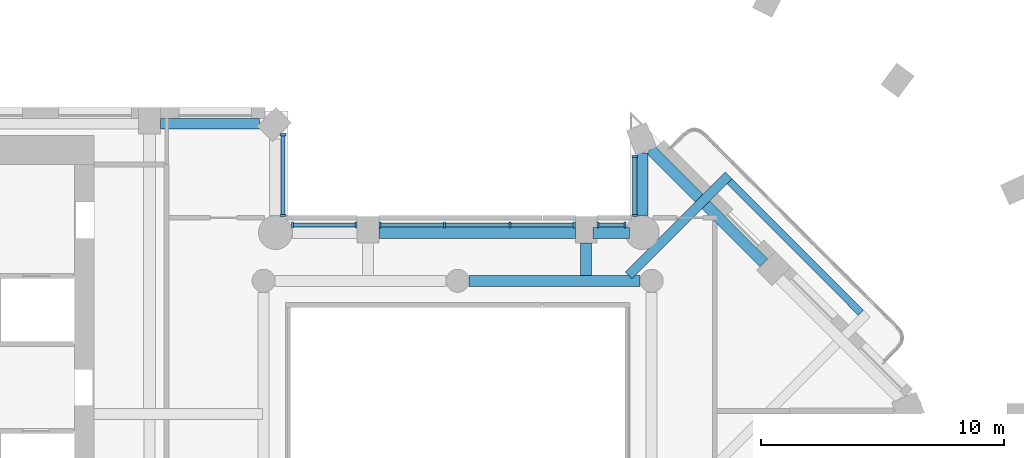
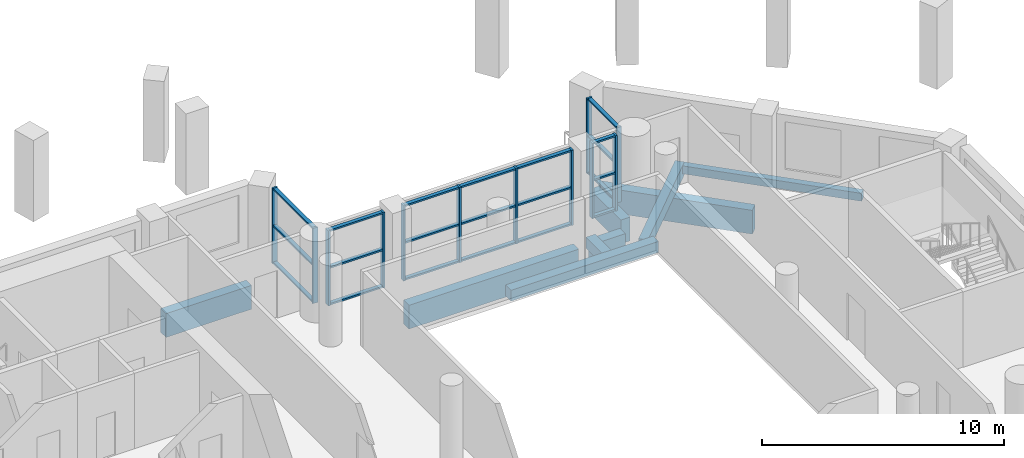
# One storey, part 2 of 14: 33 members, 9 beams, 5 elements without a shape of their own.
"""IFC4 building model written with IfcOpenShell, lengths in metres."""

import ifcopenshell
import ifcopenshell.guid

model = None  # the IFC model being written
_history = None  # IfcOwnerHistory: only IFC2X3 demands one
_inside = {}  # id of a spatial element -> (the spatial element, [elements in it])
_under = {}  # id of a project, library or spatial element -> (it, [spatial elements below it])
_declared = {}  # id of a project -> (the project, [libraries it declares])
_typed = {}  # id of a type object -> (the type object, [elements of that type])
_made_of = {}  # id of a material, layer set ... -> (it, [elements and type objects made of it])


def new_model(schema):
    """Start an empty IFC model of exactly this schema.

    Asked for "IFC4X3", IfcOpenShell would pick the latest addendum, in which some entities
    have other attributes; the version numbers below select the first issue.
    IFC2X3 requires an IfcOwnerHistory on every rooted entity: one is made here for all.
    """
    global model, _history
    if schema == "IFC4X3":
        model = ifcopenshell.file(schema_version=(4, 3, 0, 0))
    else:
        model = ifcopenshell.file(schema=schema)
    _inside.clear()
    _under.clear()
    _declared.clear()
    _typed.clear()
    _made_of.clear()
    _history = None
    if model.schema == "IFC2X3":
        org = make("IfcOrganization", Name="unknown")
        user = make(
            "IfcPersonAndOrganization",
            ThePerson=make("IfcPerson", FamilyName="unknown"),
            TheOrganization=org,
        )
        app = make(
            "IfcApplication",
            ApplicationDeveloper=org,
            Version="unknown",
            ApplicationFullName="unknown",
            ApplicationIdentifier="unknown",
        )
        _history = make(
            "IfcOwnerHistory",
            OwningUser=user,
            OwningApplication=app,
            ChangeAction="ADDED",
            CreationDate=0,
        )
    return model


def make(cls, **values):
    """One entity of the class cls with the attributes given. An attribute that is None is left unset."""
    return model.create_entity(
        cls, **{name: value for name, value in values.items() if value is not None}
    )


def rooted(cls, **values):
    """An entity with a GlobalId (a new one), such as an element, a storey or a relation."""
    return make(cls, GlobalId=ifcopenshell.guid.new(), OwnerHistory=_history, **values)


def si_unit(unit_type, name, prefix=None):
    """IfcSIUnit, for example si_unit("LENGTHUNIT", "METRE", prefix="MILLI")."""
    return make("IfcSIUnit", UnitType=unit_type, Prefix=prefix, Name=name)


def assignment(units):
    """IfcUnitAssignment: the units of a project."""
    return None if units is None else make("IfcUnitAssignment", Units=units)


def point(xyz):
    """IfcCartesianPoint."""
    return None if xyz is None else make("IfcCartesianPoint", Coordinates=xyz)


def direction(xyz):
    """IfcDirection."""
    return None if xyz is None else make("IfcDirection", DirectionRatios=xyz)


def frame(location, z_axis=None, x_axis=None):
    """IfcAxis2Placement3D, a coordinate frame: its origin and axes. An axis left out is left unset."""
    return make(
        "IfcAxis2Placement3D",
        Location=point(location),
        Axis=direction(z_axis),
        RefDirection=direction(x_axis),
    )


def frame_2d(location, x_axis=None):
    """IfcAxis2Placement2D, a coordinate frame in the plane: its origin and x axis."""
    return make(
        "IfcAxis2Placement2D", Location=point(location), RefDirection=direction(x_axis)
    )


def origin():
    """The frame at (0, 0, 0) with its axes left unset."""
    return frame((0.0, 0.0, 0.0))


def origin_2d():
    """The frame at (0, 0) in the plane with its x axis left unset."""
    return frame_2d((0.0, 0.0))


def place(relative_to, where):
    """IfcLocalPlacement: puts the frame where relative to a parent placement (None: the world)."""
    return make(
        "IfcLocalPlacement", PlacementRelTo=relative_to, RelativePlacement=where
    )


def context(
    kind, dimensions, precision=None, world=None, true_north=None, identifier=None
):
    """IfcGeometricRepresentationContext, for example the 3D "Model" context."""
    return make(
        "IfcGeometricRepresentationContext",
        ContextIdentifier=identifier,
        ContextType=kind,
        CoordinateSpaceDimension=dimensions,
        Precision=precision,
        WorldCoordinateSystem=world,
        TrueNorth=true_north,
    )


def subcontext(parent, identifier, kind, view, scale=None):
    """IfcGeometricRepresentationSubContext, for example "Body" below "Model"."""
    return make(
        "IfcGeometricRepresentationSubContext",
        ContextIdentifier=identifier,
        ContextType=kind,
        ParentContext=parent,
        TargetScale=scale,
        TargetView=view,
    )


def project(units=None, contexts=None):
    """IfcProject with its units and contexts."""
    return rooted(
        "IfcProject",
        Name="project",
        RepresentationContexts=contexts,
        UnitsInContext=assignment(units),
    )


def spatial(cls, under=None, at=None, **own):
    """A site, building, storey or space (cls), placed at a placement, below another one or the project."""
    s = rooted(cls, ObjectPlacement=at, **own)
    if under is not None:
        _under.setdefault(under.id(), (under, []))[1].append(s)
    return s


def profile(cls, at=None, kind="AREA", **sizes):
    """A parametric profile (cls). Its sizes go by their IFC names, for example OverallWidth=200.0."""
    return make(cls, ProfileType=kind, Position=at, **sizes)


def rectangle(**sizes):
    """IfcRectangleProfileDef."""
    return profile("IfcRectangleProfileDef", **sizes)


def extrude(swept, where, along, depth):
    """IfcExtrudedAreaSolid: the profile swept, set in the frame where, extruded along a direction by depth."""
    return make(
        "IfcExtrudedAreaSolid",
        SweptArea=swept,
        Position=where,
        ExtrudedDirection=direction(along),
        Depth=depth,
    )


def shape(context_of_items, identifier, shape_type, items):
    """IfcShapeRepresentation: the items that make up one representation, for example the "Body"."""
    return make(
        "IfcShapeRepresentation",
        ContextOfItems=context_of_items,
        RepresentationIdentifier=identifier,
        RepresentationType=shape_type,
        Items=items,
    )


def material(Name=None, Category=None):
    """IfcMaterial."""
    return make("IfcMaterial", Name=Name, Category=Category)


def material_profile(
    of_material, cross_section, Name=None, Category=None, Priority=None
):
    """IfcMaterialProfile: a cross section and its material."""
    return make(
        "IfcMaterialProfile",
        Name=Name,
        Material=of_material,
        Profile=cross_section,
        Priority=Priority,
        Category=Category,
    )


def profile_set(profiles, Name=None, composite=None):
    """IfcMaterialProfileSet."""
    return make(
        "IfcMaterialProfileSet",
        Name=Name,
        MaterialProfiles=profiles,
        CompositeProfile=composite,
    )


def made_of(thing, what):
    """Note that an element or type object is made of a material, layer set ...; save() writes the relation."""
    if what is not None:
        _made_of.setdefault(what.id(), (what, []))[1].append(thing)
    return thing


def type_object(cls, material=None, **own):
    """A type object (cls), such as IfcWallType, which elements share."""
    return made_of(rooted(cls, **own), material)


def element(
    cls,
    number,
    at=None,
    inside=None,
    cuts=None,
    type_object=None,
    material=None,
    context=None,
    identifier="Body",
    shape_type=None,
    held_by="IfcProductDefinitionShape",
    body=None,
    shapes=None,
    **own,
):
    """One element of the class cls, such as IfcWall. Its Tag is "e" and its number.

    at: its placement. inside: the storey or other place that contains it. cuts: it is an
    opening in that element (IfcRelVoidsElement). A single representation is given by context,
    identifier, shape_type and body (its items); several are given by shapes. held_by: the class
    of the entity that holds the representations. save() writes the other relations.
    """
    e = rooted(cls, Tag="e%d" % number, ObjectPlacement=at, **own)
    if body is not None:
        shapes = [shape(context, identifier, shape_type, body)]
    if shapes is not None:
        e.Representation = make(held_by, Representations=shapes)
    if inside is not None:
        _inside.setdefault(inside.id(), (inside, []))[1].append(e)
    if cuts is not None:
        rooted(
            "IfcRelVoidsElement", RelatingBuildingElement=cuts, RelatedOpeningElement=e
        )
    if type_object is not None:
        _typed.setdefault(type_object.id(), (type_object, []))[1].append(e)
    return made_of(e, material)


def aggregate(whole, parts):
    """IfcRelAggregates: a whole, such as a stair, and the parts it consists of."""
    return rooted("IfcRelAggregates", RelatingObject=whole, RelatedObjects=parts)


def save(model, path):
    """Write the relations noted so far, then the file.

    IfcRelAggregates (storeys below a building ...), IfcRelContainedInSpatialStructure (elements
    in a storey), IfcRelDefinesByType, IfcRelAssociatesMaterial and IfcRelDeclares: one each for
    every whole, place, type object, material and project.
    """
    for whole, parts in _under.values():
        aggregate(whole, parts)
    for where, things in _inside.values():
        rooted(
            "IfcRelContainedInSpatialStructure",
            RelatedElements=things,
            RelatingStructure=where,
        )
    for kind, things in _typed.values():
        rooted("IfcRelDefinesByType", RelatedObjects=things, RelatingType=kind)
    for what, things in _made_of.values():
        rooted("IfcRelAssociatesMaterial", RelatedObjects=things, RelatingMaterial=what)
    for by, libraries in _declared.values():
        rooted("IfcRelDeclares", RelatingContext=by, RelatedDefinitions=libraries)
    model.write(path)


model = new_model("IFC4")

# Units and contexts
model_context = context("Model", 3, precision=1e-05, world=origin(), true_north=direction((0.0, 1.0)))
body_context = subcontext(model_context, "Body", "Model", "MODEL_VIEW")
ifc_project = project(units=[si_unit("LENGTHUNIT", "METRE"), si_unit("AREAUNIT", "SQUARE_METRE"), si_unit("VOLUMEUNIT", "CUBIC_METRE"), si_unit("PLANEANGLEUNIT", "RADIAN"), si_unit("MASSUNIT", "GRAM", prefix="KILO")], contexts=[model_context])

# Site, building, storey
site_placement = place(None, origin())
site = spatial("IfcSite", under=ifc_project, at=site_placement, CompositionType="ELEMENT")
building_placement = place(site_placement, origin())
building = spatial("IfcBuilding", under=site, at=building_placement, Name="Cypress Arch Tower", CompositionType="ELEMENT")
storey_placement = place(building_placement, frame((0.0, 0.0, 201.5)))
storey = spatial("IfcBuildingStorey", under=building, at=storey_placement, Name="L44", CompositionType="ELEMENT", Elevation=201.5)

# Beams
ifc_material_1 = material(Name="Concrete C50/60", Category="concrete")
ifc_material_profile_1 = material_profile(ifc_material_1, rectangle(XDim=0.300048828125, YDim=0.39990234375, at=origin_2d()), Name="RC 300x400")
ifc_profile_set_1 = profile_set([ifc_material_profile_1], Name="Concrete C50/60")
beam_type_1 = type_object("IfcBeamType", Name="Balcony edge beam RC 300x400 Concrete C50/60", PredefinedType="BEAM", material=ifc_profile_set_1)
beam_1_placement = place(storey_placement, frame((17.625244140625, 8.683837890625, -0.5), z_axis=(-0.706756152424, 0.707457236171, 0.0), x_axis=(-0.707457236171, -0.706756152424, 0.0)))
element("IfcBeam", 1, at=beam_1_placement, inside=storey, type_object=beam_type_1, Name="Balcony edge beam L44 B05", PredefinedType="BEAM", context=body_context, shape_type="SweptSolid", body=[
    extrude(rectangle(XDim=0.300048828125, YDim=0.39990234375, at=origin_2d()), origin(), (0.0, 0.0, 1.0), 7.6611328125),
])
ifc_material_2 = material(Name="Concrete C50/60", Category="concrete")
ifc_material_profile_2 = material_profile(ifc_material_2, rectangle(XDim=0.39990234375, YDim=0.64990234375, at=origin_2d()), Name="RC 400x650")
ifc_profile_set_2 = profile_set([ifc_material_profile_2], Name="Concrete C50/60")
beam_type_2 = type_object("IfcBeamType", Name="Cantilever beam RC 400x650 Concrete C50/60", PredefinedType="BEAM", material=ifc_profile_set_2)
beam_2_placement = place(storey_placement, frame((8.04931640625, 10.22509765625, -0.625), z_axis=(0.707127700577, 0.707085861177, 0.0), x_axis=(-0.707085861177, 0.707127700577, 0.0)))
element("IfcBeam", 2, at=beam_2_placement, inside=storey, type_object=beam_type_2, Name="Cantilever beam L44 B05 2", PredefinedType="BEAM", context=body_context, shape_type="SweptSolid", body=[
    extrude(rectangle(XDim=0.39990234375, YDim=0.64990234375, at=origin_2d()), origin(), (0.0, 0.0, 1.0), 5.835205078125),
])
ifc_material_3 = material(Name="Concrete C50/60", Category="concrete")
ifc_material_profile_3 = material_profile(ifc_material_3, rectangle(XDim=0.449951171875, YDim=0.550048828125, at=origin_2d()), Name="RC 450x550")
ifc_profile_set_3 = profile_set([ifc_material_profile_3], Name="Concrete C50/60")
beam_type_3 = type_object("IfcBeamType", Name="Floor beam RC 450x550 Concrete C50/60", PredefinedType="BEAM", material=ifc_profile_set_3)
beam_3_placement = place(storey_placement, frame((1.47509765625, 10.0, -0.574951171875), z_axis=(1.0, 0.0, 0.0), x_axis=(0.0, 1.0, 0.0)))
element("IfcBeam", 3, at=beam_3_placement, inside=storey, type_object=beam_type_3, Name="Floor beam L44 RB008", PredefinedType="BEAM", context=body_context, shape_type="SweptSolid", body=[
    extrude(rectangle(XDim=0.449951171875, YDim=0.550048828125, at=origin_2d()), origin(), (0.0, 0.0, 1.0), 7.0498046875),
])
beam_4_placement = place(storey_placement, frame((6.300048828125, 10.22509765625, -0.574951171875), z_axis=(0.0, 1.0, 0.0), x_axis=(-1.0, 0.0, 0.0)))
element("IfcBeam", 4, at=beam_4_placement, inside=storey, type_object=beam_type_3, Name="Floor beam L44 FB017", PredefinedType="BEAM", context=body_context, shape_type="SweptSolid", body=[
    extrude(rectangle(XDim=0.449951171875, YDim=0.550048828125, at=origin_2d()), origin(), (0.0, 0.0, 1.0), 1.324951171875),
])

# Curtain wall, members
ifc_material_4 = material(Name="Anodised aluminium, bronze finish, clear laminated double glazing", Category="aluminium")
curtain_wall_type = type_object("IfcCurtainWallType", Name="Curtain wall CW7 slot glazing", PredefinedType="NOTDEFINED", material=ifc_material_4)
curtain_wall_1_placement = place(storey_placement, origin())
curtain_wall_1 = element("IfcCurtainWall", 5, at=curtain_wall_1_placement, inside=storey, type_object=curtain_wall_type, Name="Curtain wall L44 slot B06.0", PredefinedType="NOTDEFINED")
ifc_material_5 = material(Name="Anodised aluminium, bronze finish", Category="aluminium")
ifc_material_profile_4 = material_profile(ifc_material_5, rectangle(XDim=0.239990234375, YDim=0.0849609375, at=origin_2d()), Name="Mullion 85x240")
ifc_profile_set_4 = profile_set([ifc_material_profile_4], Name="Anodised aluminium, bronze finish")
member_type_1 = type_object("IfcMemberType", Name="Mullion CW7 85x240", PredefinedType="MULLION", material=ifc_profile_set_4)
member_1_placement = place(storey_placement, frame((8.300048828125, 15.12744140625, 0.0), z_axis=(0.0, 0.0, 1.0), x_axis=(1.0, 0.0, 0.0)))
member_1 = element("IfcMember", 6, at=member_1_placement, type_object=member_type_1, Name="CW7 mullion 1", PredefinedType="MULLION", context=body_context, shape_type="SweptSolid", body=[
    extrude(rectangle(XDim=0.239990234375, YDim=0.0849609375, at=origin_2d()), origin(), (0.0, 0.0, 1.0), 3.800048828125),
])
member_2_placement = place(storey_placement, frame((8.300048828125, 12.697021484375, 0.0), z_axis=(0.0, 0.0, 1.0), x_axis=(1.0, 0.0, 0.0)))
member_2 = element("IfcMember", 7, at=member_2_placement, type_object=member_type_1, Name="CW7 mullion 2", PredefinedType="MULLION", context=body_context, shape_type="SweptSolid", body=[
    extrude(rectangle(XDim=0.239990234375, YDim=0.0849609375, at=origin_2d()), origin(), (0.0, 0.0, 1.0), 3.800048828125),
])

curtain_wall_2_placement = place(storey_placement, origin())
curtain_wall_2 = element("IfcCurtainWall", 8, at=curtain_wall_2_placement, inside=storey, type_object=curtain_wall_type, Name="Curtain wall L44 slot B07.0", PredefinedType="NOTDEFINED")
member_3_placement = place(storey_placement, frame((7.903076171875, 12.300048828125, 0.0), z_axis=(0.0, 0.0, 1.0), x_axis=(0.0, -1.0, 0.0)))
member_3 = element("IfcMember", 9, at=member_3_placement, type_object=member_type_1, Name="CW7 mullion 1", PredefinedType="MULLION", context=body_context, shape_type="SweptSolid", body=[
    extrude(rectangle(XDim=0.239990234375, YDim=0.0849609375, at=origin_2d()), origin(), (0.0, 0.0, 1.0), 3.800048828125),
])
member_4_placement = place(storey_placement, frame((6.79248046875, 12.300048828125, 0.0), z_axis=(0.0, 0.0, 1.0), x_axis=(0.0, -1.0, 0.0)))
member_4 = element("IfcMember", 10, at=member_4_placement, type_object=member_type_1, Name="CW7 mullion 2", PredefinedType="MULLION", context=body_context, shape_type="SweptSolid", body=[
    extrude(rectangle(XDim=0.239990234375, YDim=0.0849609375, at=origin_2d()), origin(), (0.0, 0.0, 1.0), 3.800048828125),
])

curtain_wall_3_placement = place(storey_placement, origin())
curtain_wall_3 = element("IfcCurtainWall", 11, at=curtain_wall_3_placement, inside=storey, type_object=curtain_wall_type, Name="Curtain wall L44 slot B07.1", PredefinedType="NOTDEFINED")
member_5_placement = place(storey_placement, frame((5.8076171875, 12.300048828125, 0.0), z_axis=(0.0, 0.0, 1.0), x_axis=(0.0, -1.0, 0.0)))
member_5 = element("IfcMember", 12, at=member_5_placement, type_object=member_type_1, Name="CW7 mullion 1", PredefinedType="MULLION", context=body_context, shape_type="SweptSolid", body=[
    extrude(rectangle(XDim=0.239990234375, YDim=0.0849609375, at=origin_2d()), origin(), (0.0, 0.0, 1.0), 3.800048828125),
])
member_6_placement = place(storey_placement, frame((3.14990234375, 12.300048828125, 0.0), z_axis=(0.0, 0.0, 1.0), x_axis=(0.0, -1.0, 0.0)))
member_6 = element("IfcMember", 13, at=member_6_placement, type_object=member_type_1, Name="CW7 mullion 2", PredefinedType="MULLION", context=body_context, shape_type="SweptSolid", body=[
    extrude(rectangle(XDim=0.239990234375, YDim=0.0849609375, at=origin_2d()), origin(), (0.0, 0.0, 1.0), 3.800048828125),
])
member_7_placement = place(storey_placement, frame((0.449951171875, 12.300048828125, 0.0), z_axis=(0.0, 0.0, 1.0), x_axis=(0.0, -1.0, 0.0)))
member_7 = element("IfcMember", 14, at=member_7_placement, type_object=member_type_1, Name="CW7 mullion 3", PredefinedType="MULLION", context=body_context, shape_type="SweptSolid", body=[
    extrude(rectangle(XDim=0.239990234375, YDim=0.0849609375, at=origin_2d()), origin(), (0.0, 0.0, 1.0), 3.800048828125),
])
member_8_placement = place(storey_placement, frame((-2.20751953125, 12.300048828125, 0.0), z_axis=(0.0, 0.0, 1.0), x_axis=(0.0, -1.0, 0.0)))
member_8 = element("IfcMember", 15, at=member_8_placement, type_object=member_type_1, Name="CW7 mullion 4", PredefinedType="MULLION", context=body_context, shape_type="SweptSolid", body=[
    extrude(rectangle(XDim=0.239990234375, YDim=0.0849609375, at=origin_2d()), origin(), (0.0, 0.0, 1.0), 3.800048828125),
])

curtain_wall_4_placement = place(storey_placement, origin())
curtain_wall_4 = element("IfcCurtainWall", 16, at=curtain_wall_4_placement, inside=storey, type_object=curtain_wall_type, Name="Curtain wall L44 slot B07.2", PredefinedType="NOTDEFINED")
member_9_placement = place(storey_placement, frame((-3.1923828125, 12.300048828125, 0.0), z_axis=(0.0, 0.0, 1.0), x_axis=(0.0, -1.0, 0.0)))
member_9 = element("IfcMember", 17, at=member_9_placement, type_object=member_type_1, Name="CW7 mullion 1", PredefinedType="MULLION", context=body_context, shape_type="SweptSolid", body=[
    extrude(rectangle(XDim=0.239990234375, YDim=0.0849609375, at=origin_2d()), origin(), (0.0, 0.0, 1.0), 3.800048828125),
])
member_10_placement = place(storey_placement, frame((-5.802978515625, 12.300048828125, 0.0), z_axis=(0.0, 0.0, 1.0), x_axis=(0.0, -1.0, 0.0)))
member_10 = element("IfcMember", 18, at=member_10_placement, type_object=member_type_1, Name="CW7 mullion 2", PredefinedType="MULLION", context=body_context, shape_type="SweptSolid", body=[
    extrude(rectangle(XDim=0.239990234375, YDim=0.0849609375, at=origin_2d()), origin(), (0.0, 0.0, 1.0), 3.800048828125),
])

curtain_wall_5_placement = place(storey_placement, origin())
curtain_wall_5 = element("IfcCurtainWall", 19, at=curtain_wall_5_placement, inside=storey, type_object=curtain_wall_type, Name="Curtain wall L44 slot B08.0", PredefinedType="NOTDEFINED")
member_11_placement = place(storey_placement, frame((-6.199951171875, 12.697021484375, 0.0), z_axis=(0.0, 0.0, 1.0), x_axis=(-1.0, 0.0, 0.0)))
member_11 = element("IfcMember", 20, at=member_11_placement, type_object=member_type_1, Name="CW7 mullion 1", PredefinedType="MULLION", context=body_context, shape_type="SweptSolid", body=[
    extrude(rectangle(XDim=0.239990234375, YDim=0.0849609375, at=origin_2d()), origin(), (0.0, 0.0, 1.0), 3.800048828125),
])
member_12_placement = place(storey_placement, frame((-6.199951171875, 16.02099609375, 0.0), z_axis=(0.0, 0.0, 1.0), x_axis=(-1.0, 0.0, 0.0)))
member_12 = element("IfcMember", 21, at=member_12_placement, type_object=member_type_1, Name="CW7 mullion 2", PredefinedType="MULLION", context=body_context, shape_type="SweptSolid", body=[
    extrude(rectangle(XDim=0.239990234375, YDim=0.0849609375, at=origin_2d()), origin(), (0.0, 0.0, 1.0), 3.800048828125),
])

# Beams
ifc_material_6 = material(Name="Concrete C50/60", Category="concrete")
ifc_material_profile_5 = material_profile(ifc_material_6, rectangle(XDim=0.449951171875, YDim=1.199951171875, at=origin_2d()), Name="RC 450x1200")
ifc_profile_set_5 = profile_set([ifc_material_profile_5], Name="Concrete C50/60")
beam_type_4 = type_object("IfcBeamType", Name="Spandrel beam RC 450x1200 Concrete C50/60", PredefinedType="SPANDREL", material=ifc_profile_set_5)
beam_5_placement = place(storey_placement, frame((13.622802734375, 10.73486328125, -1.550048828125), z_axis=(-0.707106781187, 0.707106781187, 0.0), x_axis=(-0.707106781187, -0.707106781187, 0.0)))
element("IfcBeam", 22, at=beam_5_placement, inside=storey, type_object=beam_type_4, Name="Spandrel beam L44 BB05-1", PredefinedType="SPANDREL", context=body_context, shape_type="SweptSolid", body=[
    extrude(rectangle(XDim=0.449951171875, YDim=1.199951171875, at=origin_2d()), origin(), (0.0, 0.0, 1.0), 6.610595703125),
])
beam_6_placement = place(storey_placement, frame((8.625, 15.275146484375, -1.550048828125), z_axis=(0.0, -1.0, 0.0), x_axis=(1.0, 0.0, 0.0)))
element("IfcBeam", 23, at=beam_6_placement, inside=storey, type_object=beam_type_4, Name="Spandrel beam L44 BB06-0", PredefinedType="SPANDREL", context=body_context, shape_type="SweptSolid", body=[
    extrude(rectangle(XDim=0.449951171875, YDim=1.199951171875, at=origin_2d()), origin(), (0.0, 0.0, 1.0), 2.587646484375),
])
beam_7_placement = place(storey_placement, frame((8.081298828125, 11.97509765625, -1.550048828125), z_axis=(-1.0, 0.0, 0.0), x_axis=(0.0, -1.0, 0.0)))
element("IfcBeam", 24, at=beam_7_placement, inside=storey, type_object=beam_type_4, Name="Spandrel beam L44 BB07-0", PredefinedType="SPANDREL", context=body_context, shape_type="SweptSolid", body=[
    extrude(rectangle(XDim=0.449951171875, YDim=1.199951171875, at=origin_2d()), origin(), (0.0, 0.0, 1.0), 1.5),
])
beam_8_placement = place(storey_placement, frame((5.85009765625, 11.97509765625, -1.550048828125), z_axis=(-1.0, 0.0, 0.0), x_axis=(0.0, -1.0, 0.0)))
element("IfcBeam", 25, at=beam_8_placement, inside=storey, type_object=beam_type_4, Name="Spandrel beam L44 BB07-1", PredefinedType="SPANDREL", context=body_context, shape_type="SweptSolid", body=[
    extrude(rectangle(XDim=0.449951171875, YDim=1.199951171875, at=origin_2d()), origin(), (0.0, 0.0, 1.0), 8.10009765625),
])
beam_9_placement = place(storey_placement, frame((-7.161376953125, 16.47509765625, -1.550048828125), z_axis=(-1.0, 0.0, 0.0), x_axis=(0.0, -1.0, 0.0)))
element("IfcBeam", 26, at=beam_9_placement, inside=storey, type_object=beam_type_4, Name="Spandrel beam L44 BB09-0", PredefinedType="SPANDREL", context=body_context, shape_type="SweptSolid", body=[
    extrude(rectangle(XDim=0.449951171875, YDim=1.199951171875, at=origin_2d()), origin(), (0.0, 0.0, 1.0), 4.088623046875),
])

# Member
ifc_material_7 = material(Name="Anodised aluminium, bronze finish", Category="aluminium")
ifc_material_profile_6 = material_profile(ifc_material_7, rectangle(XDim=0.179931640625, YDim=0.0849609375, at=origin_2d()), Name="Transom 85x180")
ifc_profile_set_6 = profile_set([ifc_material_profile_6], Name="Anodised aluminium, bronze finish")
member_type_2 = type_object("IfcMemberType", Name="Transom CW7 85x180", PredefinedType="USERDEFINED", material=ifc_profile_set_6)
member_13_placement = place(storey_placement, frame((8.300048828125, 15.0849609375, 0.04248046875), z_axis=(0.0, -1.0, 0.0), x_axis=(1.0, 0.0, 0.0)))
member_13 = element("IfcMember", 27, at=member_13_placement, type_object=member_type_2, Name="CW7 transom 1.1", ObjectType="TRANSOM", PredefinedType="USERDEFINED", context=body_context, shape_type="SweptSolid", body=[
    extrude(rectangle(XDim=0.179931640625, YDim=0.0849609375, at=origin_2d()), origin(), (0.0, 0.0, 1.0), 2.345458984375),
])

member_14_placement = place(storey_placement, frame((8.300048828125, 15.0849609375, 1.89990234375), z_axis=(0.0, -1.0, 0.0), x_axis=(1.0, 0.0, 0.0)))
member_14 = element("IfcMember", 28, at=member_14_placement, type_object=member_type_2, Name="CW7 transom 1.2", ObjectType="TRANSOM", PredefinedType="USERDEFINED", context=body_context, shape_type="SweptSolid", body=[
    extrude(rectangle(XDim=0.179931640625, YDim=0.0849609375, at=origin_2d()), origin(), (0.0, 0.0, 1.0), 2.345458984375),
])

member_15_placement = place(storey_placement, frame((8.300048828125, 15.0849609375, 3.757568359375), z_axis=(0.0, -1.0, 0.0), x_axis=(1.0, 0.0, 0.0)))
member_15 = element("IfcMember", 29, at=member_15_placement, type_object=member_type_2, Name="CW7 transom 1.3", ObjectType="TRANSOM", PredefinedType="USERDEFINED", context=body_context, shape_type="SweptSolid", body=[
    extrude(rectangle(XDim=0.179931640625, YDim=0.0849609375, at=origin_2d()), origin(), (0.0, 0.0, 1.0), 2.345458984375),
])

aggregate(curtain_wall_1, [member_1, member_2, member_13, member_14, member_15])

member_16_placement = place(storey_placement, frame((7.8603515625, 12.300048828125, 0.04248046875), z_axis=(-1.0, 0.0, 0.0), x_axis=(0.0, -1.0, 0.0)))
member_16 = element("IfcMember", 30, at=member_16_placement, type_object=member_type_2, Name="CW7 transom 1.1", ObjectType="TRANSOM", PredefinedType="USERDEFINED", context=body_context, shape_type="SweptSolid", body=[
    extrude(rectangle(XDim=0.179931640625, YDim=0.0849609375, at=origin_2d()), origin(), (0.0, 0.0, 1.0), 1.025390625),
])

member_17_placement = place(storey_placement, frame((7.8603515625, 12.300048828125, 1.89990234375), z_axis=(-1.0, 0.0, 0.0), x_axis=(0.0, -1.0, 0.0)))
member_17 = element("IfcMember", 31, at=member_17_placement, type_object=member_type_2, Name="CW7 transom 1.2", ObjectType="TRANSOM", PredefinedType="USERDEFINED", context=body_context, shape_type="SweptSolid", body=[
    extrude(rectangle(XDim=0.179931640625, YDim=0.0849609375, at=origin_2d()), origin(), (0.0, 0.0, 1.0), 1.025390625),
])

member_18_placement = place(storey_placement, frame((7.8603515625, 12.300048828125, 3.757568359375), z_axis=(-1.0, 0.0, 0.0), x_axis=(0.0, -1.0, 0.0)))
member_18 = element("IfcMember", 32, at=member_18_placement, type_object=member_type_2, Name="CW7 transom 1.3", ObjectType="TRANSOM", PredefinedType="USERDEFINED", context=body_context, shape_type="SweptSolid", body=[
    extrude(rectangle(XDim=0.179931640625, YDim=0.0849609375, at=origin_2d()), origin(), (0.0, 0.0, 1.0), 1.025390625),
])

aggregate(curtain_wall_2, [member_3, member_4, member_16, member_17, member_18])

member_19_placement = place(storey_placement, frame((5.764892578125, 12.300048828125, 0.04248046875), z_axis=(-1.0, 0.0, 0.0), x_axis=(0.0, -1.0, 0.0)))
member_19 = element("IfcMember", 33, at=member_19_placement, type_object=member_type_2, Name="CW7 transom 1.1", ObjectType="TRANSOM", PredefinedType="USERDEFINED", context=body_context, shape_type="SweptSolid", body=[
    extrude(rectangle(XDim=0.179931640625, YDim=0.0849609375, at=origin_2d()), origin(), (0.0, 0.0, 1.0), 2.572509765625),
])

member_20_placement = place(storey_placement, frame((5.764892578125, 12.300048828125, 1.89990234375), z_axis=(-1.0, 0.0, 0.0), x_axis=(0.0, -1.0, 0.0)))
member_20 = element("IfcMember", 34, at=member_20_placement, type_object=member_type_2, Name="CW7 transom 1.2", ObjectType="TRANSOM", PredefinedType="USERDEFINED", context=body_context, shape_type="SweptSolid", body=[
    extrude(rectangle(XDim=0.179931640625, YDim=0.0849609375, at=origin_2d()), origin(), (0.0, 0.0, 1.0), 2.572509765625),
])

member_21_placement = place(storey_placement, frame((5.764892578125, 12.300048828125, 3.757568359375), z_axis=(-1.0, 0.0, 0.0), x_axis=(0.0, -1.0, 0.0)))
member_21 = element("IfcMember", 35, at=member_21_placement, type_object=member_type_2, Name="CW7 transom 1.3", ObjectType="TRANSOM", PredefinedType="USERDEFINED", context=body_context, shape_type="SweptSolid", body=[
    extrude(rectangle(XDim=0.179931640625, YDim=0.0849609375, at=origin_2d()), origin(), (0.0, 0.0, 1.0), 2.572509765625),
])

member_22_placement = place(storey_placement, frame((3.107421875, 12.300048828125, 0.04248046875), z_axis=(-1.0, 0.0, 0.0), x_axis=(0.0, -1.0, 0.0)))
member_22 = element("IfcMember", 36, at=member_22_placement, type_object=member_type_2, Name="CW7 transom 2.1", ObjectType="TRANSOM", PredefinedType="USERDEFINED", context=body_context, shape_type="SweptSolid", body=[
    extrude(rectangle(XDim=0.179931640625, YDim=0.0849609375, at=origin_2d()), origin(), (0.0, 0.0, 1.0), 2.614990234375),
])

member_23_placement = place(storey_placement, frame((3.107421875, 12.300048828125, 1.89990234375), z_axis=(-1.0, 0.0, 0.0), x_axis=(0.0, -1.0, 0.0)))
member_23 = element("IfcMember", 37, at=member_23_placement, type_object=member_type_2, Name="CW7 transom 2.2", ObjectType="TRANSOM", PredefinedType="USERDEFINED", context=body_context, shape_type="SweptSolid", body=[
    extrude(rectangle(XDim=0.179931640625, YDim=0.0849609375, at=origin_2d()), origin(), (0.0, 0.0, 1.0), 2.614990234375),
])

member_24_placement = place(storey_placement, frame((3.107421875, 12.300048828125, 3.757568359375), z_axis=(-1.0, 0.0, 0.0), x_axis=(0.0, -1.0, 0.0)))
member_24 = element("IfcMember", 38, at=member_24_placement, type_object=member_type_2, Name="CW7 transom 2.3", ObjectType="TRANSOM", PredefinedType="USERDEFINED", context=body_context, shape_type="SweptSolid", body=[
    extrude(rectangle(XDim=0.179931640625, YDim=0.0849609375, at=origin_2d()), origin(), (0.0, 0.0, 1.0), 2.614990234375),
])

member_25_placement = place(storey_placement, frame((0.407470703125, 12.300048828125, 0.04248046875), z_axis=(-1.0, 0.0, 0.0), x_axis=(0.0, -1.0, 0.0)))
member_25 = element("IfcMember", 39, at=member_25_placement, type_object=member_type_2, Name="CW7 transom 3.1", ObjectType="TRANSOM", PredefinedType="USERDEFINED", context=body_context, shape_type="SweptSolid", body=[
    extrude(rectangle(XDim=0.179931640625, YDim=0.0849609375, at=origin_2d()), origin(), (0.0, 0.0, 1.0), 2.572509765625),
])

member_26_placement = place(storey_placement, frame((0.407470703125, 12.300048828125, 1.89990234375), z_axis=(-1.0, 0.0, 0.0), x_axis=(0.0, -1.0, 0.0)))
member_26 = element("IfcMember", 40, at=member_26_placement, type_object=member_type_2, Name="CW7 transom 3.2", ObjectType="TRANSOM", PredefinedType="USERDEFINED", context=body_context, shape_type="SweptSolid", body=[
    extrude(rectangle(XDim=0.179931640625, YDim=0.0849609375, at=origin_2d()), origin(), (0.0, 0.0, 1.0), 2.572509765625),
])

member_27_placement = place(storey_placement, frame((0.407470703125, 12.300048828125, 3.757568359375), z_axis=(-1.0, 0.0, 0.0), x_axis=(0.0, -1.0, 0.0)))
member_27 = element("IfcMember", 41, at=member_27_placement, type_object=member_type_2, Name="CW7 transom 3.3", ObjectType="TRANSOM", PredefinedType="USERDEFINED", context=body_context, shape_type="SweptSolid", body=[
    extrude(rectangle(XDim=0.179931640625, YDim=0.0849609375, at=origin_2d()), origin(), (0.0, 0.0, 1.0), 2.572509765625),
])

aggregate(curtain_wall_3, [member_5, member_6, member_7, member_8, member_19, member_20, member_21, member_22, member_23, member_24, member_25, member_26, member_27])

member_28_placement = place(storey_placement, frame((-3.235107421875, 12.300048828125, 0.04248046875), z_axis=(-1.0, 0.0, 0.0), x_axis=(0.0, -1.0, 0.0)))
member_28 = element("IfcMember", 42, at=member_28_placement, type_object=member_type_2, Name="CW7 transom 1.1", ObjectType="TRANSOM", PredefinedType="USERDEFINED", context=body_context, shape_type="SweptSolid", body=[
    extrude(rectangle(XDim=0.179931640625, YDim=0.0849609375, at=origin_2d()), origin(), (0.0, 0.0, 1.0), 2.525390625),
])

member_29_placement = place(storey_placement, frame((-3.235107421875, 12.300048828125, 1.89990234375), z_axis=(-1.0, 0.0, 0.0), x_axis=(0.0, -1.0, 0.0)))
member_29 = element("IfcMember", 43, at=member_29_placement, type_object=member_type_2, Name="CW7 transom 1.2", ObjectType="TRANSOM", PredefinedType="USERDEFINED", context=body_context, shape_type="SweptSolid", body=[
    extrude(rectangle(XDim=0.179931640625, YDim=0.0849609375, at=origin_2d()), origin(), (0.0, 0.0, 1.0), 2.525390625),
])

member_30_placement = place(storey_placement, frame((-3.235107421875, 12.300048828125, 3.757568359375), z_axis=(-1.0, 0.0, 0.0), x_axis=(0.0, -1.0, 0.0)))
member_30 = element("IfcMember", 44, at=member_30_placement, type_object=member_type_2, Name="CW7 transom 1.3", ObjectType="TRANSOM", PredefinedType="USERDEFINED", context=body_context, shape_type="SweptSolid", body=[
    extrude(rectangle(XDim=0.179931640625, YDim=0.0849609375, at=origin_2d()), origin(), (0.0, 0.0, 1.0), 2.525390625),
])

aggregate(curtain_wall_4, [member_9, member_10, member_28, member_29, member_30])

member_31_placement = place(storey_placement, frame((-6.199951171875, 12.739501953125, 0.04248046875), z_axis=(0.0, 1.0, 0.0), x_axis=(-1.0, 0.0, 0.0)))
member_31 = element("IfcMember", 45, at=member_31_placement, type_object=member_type_2, Name="CW7 transom 1.1", ObjectType="TRANSOM", PredefinedType="USERDEFINED", context=body_context, shape_type="SweptSolid", body=[
    extrude(rectangle(XDim=0.179931640625, YDim=0.0849609375, at=origin_2d()), origin(), (0.0, 0.0, 1.0), 3.239013671875),
])

member_32_placement = place(storey_placement, frame((-6.199951171875, 12.739501953125, 1.89990234375), z_axis=(0.0, 1.0, 0.0), x_axis=(-1.0, 0.0, 0.0)))
member_32 = element("IfcMember", 46, at=member_32_placement, type_object=member_type_2, Name="CW7 transom 1.2", ObjectType="TRANSOM", PredefinedType="USERDEFINED", context=body_context, shape_type="SweptSolid", body=[
    extrude(rectangle(XDim=0.179931640625, YDim=0.0849609375, at=origin_2d()), origin(), (0.0, 0.0, 1.0), 3.239013671875),
])

member_33_placement = place(storey_placement, frame((-6.199951171875, 12.739501953125, 3.757568359375), z_axis=(0.0, 1.0, 0.0), x_axis=(-1.0, 0.0, 0.0)))
member_33 = element("IfcMember", 47, at=member_33_placement, type_object=member_type_2, Name="CW7 transom 1.3", ObjectType="TRANSOM", PredefinedType="USERDEFINED", context=body_context, shape_type="SweptSolid", body=[
    extrude(rectangle(XDim=0.179931640625, YDim=0.0849609375, at=origin_2d()), origin(), (0.0, 0.0, 1.0), 3.239013671875),
])

aggregate(curtain_wall_5, [member_11, member_12, member_31, member_32, member_33])

save(model, "model.ifc")
